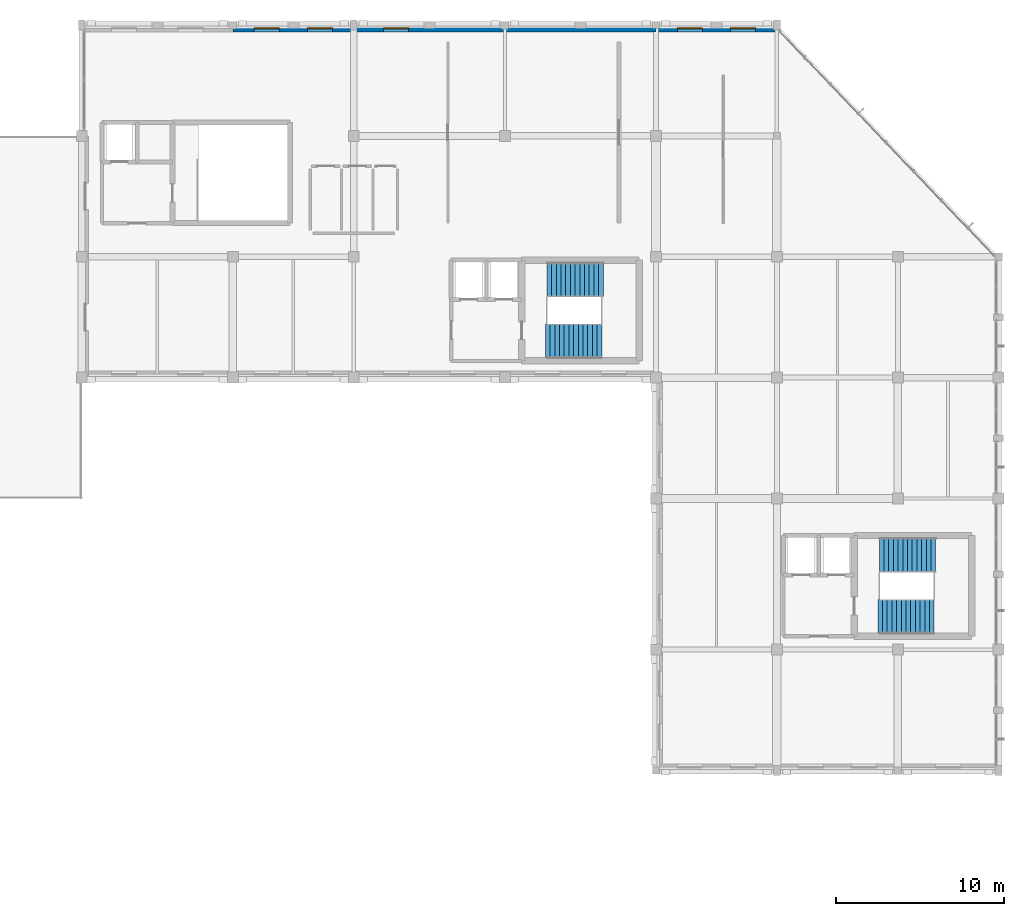
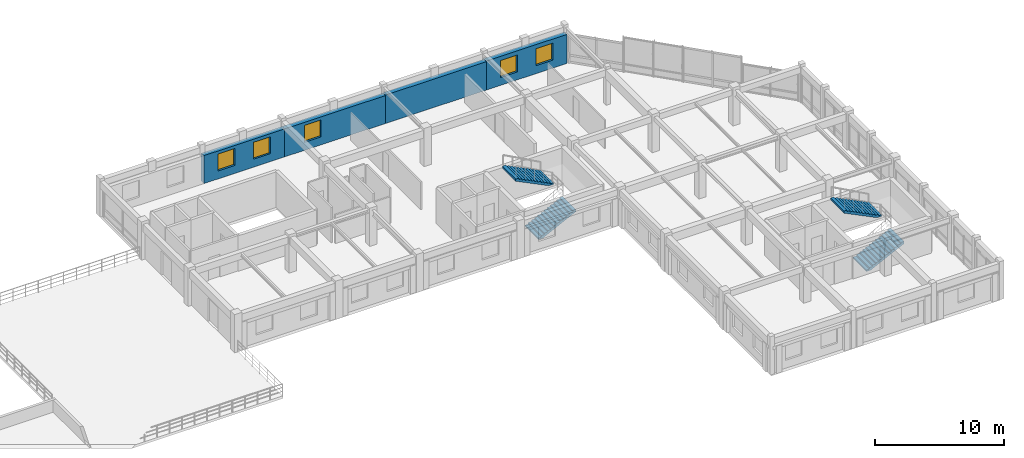
# One storey, part 15 of 18: 5 windows, 4 stair flights, 4 walls, 5 openings, 2 elements without a shape of their own.
"""IFC4 building model written with IfcOpenShell, lengths in metres."""

from ifc_helpers import new_model, si_unit, direction, frame, frame_2d, origin, place, context, subcontext, project, spatial, polyline, rectangle, outline, extrude, material, layer, layer_set, type_object, element, fill, aggregate, save


model = new_model("IFC4")

# Units and contexts
model_context = context("Model", 3, precision=1e-05, world=origin(), true_north=direction((0.0, 1.0)))
body_context = subcontext(model_context, "Body", "Model", "MODEL_VIEW")
ifc_project = project(units=[si_unit("LENGTHUNIT", "METRE"), si_unit("AREAUNIT", "SQUARE_METRE"), si_unit("VOLUMEUNIT", "CUBIC_METRE"), si_unit("PLANEANGLEUNIT", "RADIAN"), si_unit("MASSUNIT", "GRAM", prefix="KILO")], contexts=[model_context])

# Site, building, storey
site_placement = place(None, origin())
site = spatial("IfcSite", under=ifc_project, at=site_placement, CompositionType="ELEMENT")
building_placement = place(site_placement, origin())
building = spatial("IfcBuilding", under=site, at=building_placement, Name="Clarverna Civic Hall", CompositionType="ELEMENT")
storey_placement = place(building_placement, frame((0.0, 0.0, 20.39990234375)))
storey = spatial("IfcBuildingStorey", under=building, at=storey_placement, Name="L05", CompositionType="ELEMENT", Elevation=20.39990234375)

# Wall, openings, windows
ifc_material_1 = material(Name="Montjuic Limestone Ashlar Cladding", Category="masonry")
ifc_layer = layer(ifc_material_1, 0.39990234375)
ifc_layer_set = layer_set([ifc_layer], Name="Montjuic Limestone Ashlar Cladding")
wall_type = type_object("IfcWallType", Name="EW-02", PredefinedType="SOLIDWALL", material=ifc_layer_set)
wall_1_placement = place(storey_placement, frame((122.39990234375, 115.800048828125, 0.0), z_axis=(0.0, 0.0, 1.0), x_axis=(1.0, 0.0, 0.0)))
wall_1 = element("IfcWall", 1, at=wall_1_placement, inside=storey, type_object=wall_type, Name="EW-02-255", PredefinedType="SOLIDWALL", context=body_context, shape_type="SweptSolid", body=[
    extrude(rectangle(XDim=7.2001953125, YDim=0.39990234375, at=frame_2d((3.60009765625, 0.0))), origin(), (0.0, 0.0, 1.0), 2.64013671875),
])
opening_1_placement = place(wall_1_placement, frame((1.26611328125, 0.0, 0.75)))
opening_1 = element("IfcOpeningElement", 2, at=opening_1_placement, cuts=wall_1, Name="Opening WN-14", PredefinedType="OPENING", context=body_context, shape_type="SweptSolid", body=[
    extrude(rectangle(XDim=1.5, YDim=1.60009765625, at=frame_2d((0.75, 0.800048828125))), frame((0.0, 0.2099609375, 0.0), z_axis=(0.0, -1.0, 0.0), x_axis=(1.0, 0.0, 0.0)), (0.0, 0.0, 1.0), 0.419921875),
])
opening_2_placement = place(wall_1_placement, frame((4.43408203125, 0.0, 0.75)))
opening_2 = element("IfcOpeningElement", 3, at=opening_2_placement, cuts=wall_1, Name="Opening WN-14", PredefinedType="OPENING", context=body_context, shape_type="SweptSolid", body=[
    extrude(rectangle(XDim=1.5, YDim=1.60009765625, at=frame_2d((0.75, 0.800048828125))), frame((0.0, 0.2099609375, 0.0), z_axis=(0.0, -1.0, 0.0), x_axis=(1.0, 0.0, 0.0)), (0.0, 0.0, 1.0), 0.419921875),
])
ifc_material_2 = material(Name="Solar-Control Argon Low-E Double Glazing", Category="glass")
window_type = type_object("IfcWindowType", Name="WN-14", PartitioningType="DOUBLE_PANEL_HORIZONTAL", PredefinedType="WINDOW", material=ifc_material_2)
window_1_placement = place(opening_1_placement, origin())
window_1 = element("IfcWindow", 4, at=window_1_placement, inside=storey, type_object=window_type, Name="WN-14-293", OverallHeight=1.60009765625, OverallWidth=1.5, PartitioningType="DOUBLE_PANEL_HORIZONTAL", PredefinedType="WINDOW", context=body_context, shape_type="SweptSolid", body=[
    extrude(rectangle(XDim=1.5, YDim=1.60009765625, at=frame_2d((0.75, 0.800048828125))), frame((0.0, 0.030029296875, 0.0), z_axis=(0.0, -1.0, 0.0), x_axis=(1.0, 0.0, 0.0)), (0.0, 0.0, 1.0), 0.06005859375),
])
fill(opening_1, window_1)
window_2_placement = place(opening_2_placement, origin())
window_2 = element("IfcWindow", 5, at=window_2_placement, inside=storey, type_object=window_type, Name="WN-14-294", OverallHeight=1.60009765625, OverallWidth=1.5, PartitioningType="DOUBLE_PANEL_HORIZONTAL", PredefinedType="WINDOW", context=body_context, shape_type="SweptSolid", body=[
    extrude(rectangle(XDim=1.5, YDim=1.60009765625, at=frame_2d((0.75, 0.800048828125))), frame((0.0, 0.030029296875, 0.0), z_axis=(0.0, -1.0, 0.0), x_axis=(1.0, 0.0, 0.0)), (0.0, 0.0, 1.0), 0.06005859375),
])
fill(opening_2, window_2)

# Wall, opening, window
wall_2_placement = place(storey_placement, frame((129.60009765625, 115.800048828125, 0.0), z_axis=(0.0, 0.0, 1.0), x_axis=(1.0, 0.0, 0.0)))
wall_2 = element("IfcWall", 6, at=wall_2_placement, inside=storey, type_object=wall_type, Name="EW-02-256", PredefinedType="SOLIDWALL", context=body_context, shape_type="SweptSolid", body=[
    extrude(rectangle(XDim=9.0, YDim=0.39990234375, at=frame_2d((4.5, 0.0))), origin(), (0.0, 0.0, 1.0), 2.64013671875),
])
opening_3_placement = place(wall_2_placement, frame((1.77001953125, 0.0, 0.75)))
opening_3 = element("IfcOpeningElement", 7, at=opening_3_placement, cuts=wall_2, Name="Opening WN-14", PredefinedType="OPENING", context=body_context, shape_type="SweptSolid", body=[
    extrude(rectangle(XDim=1.5, YDim=1.60009765625, at=frame_2d((0.75, 0.800048828125))), frame((0.0, 0.2099609375, 0.0), z_axis=(0.0, -1.0, 0.0), x_axis=(1.0, 0.0, 0.0)), (0.0, 0.0, 1.0), 0.419921875),
])
window_3_placement = place(opening_3_placement, origin())
window_3 = element("IfcWindow", 8, at=window_3_placement, inside=storey, type_object=window_type, Name="WN-14-295", OverallHeight=1.60009765625, OverallWidth=1.5, PartitioningType="DOUBLE_PANEL_HORIZONTAL", PredefinedType="WINDOW", context=body_context, shape_type="SweptSolid", body=[
    extrude(rectangle(XDim=1.5, YDim=1.60009765625, at=frame_2d((0.75, 0.800048828125))), frame((0.0, 0.030029296875, 0.0), z_axis=(0.0, -1.0, 0.0), x_axis=(1.0, 0.0, 0.0)), (0.0, 0.0, 1.0), 0.06005859375),
])
fill(opening_3, window_3)

# Wall
wall_3_placement = place(storey_placement, frame((138.60009765625, 115.800048828125, 0.0), z_axis=(0.0, 0.0, 1.0), x_axis=(1.0, 0.0, 0.0)))
element("IfcWall", 9, at=wall_3_placement, inside=storey, type_object=wall_type, Name="EW-02-257", PredefinedType="SOLIDWALL", context=body_context, shape_type="SweptSolid", body=[
    extrude(rectangle(XDim=9.0, YDim=0.39990234375, at=frame_2d((4.5, 0.0))), origin(), (0.0, 0.0, 1.0), 2.68017578125),
])

# Wall, openings, windows
wall_4_placement = place(storey_placement, frame((147.60009765625, 115.800048828125, 0.0), z_axis=(0.0, 0.0, 1.0), x_axis=(1.0, 0.0, 0.0)))
wall_4 = element("IfcWall", 10, at=wall_4_placement, inside=storey, type_object=wall_type, Name="EW-02-258", PredefinedType="SOLIDWALL", context=body_context, shape_type="SweptSolid", body=[
    extrude(rectangle(XDim=7.199951171875, YDim=0.39990234375, at=frame_2d((3.60009765625, 0.0))), origin(), (0.0, 0.0, 1.0), 2.739990234375),
])
opening_4_placement = place(wall_4_placement, frame((1.26611328125, 0.0, 0.75)))
opening_4 = element("IfcOpeningElement", 11, at=opening_4_placement, cuts=wall_4, Name="Opening WN-14", PredefinedType="OPENING", context=body_context, shape_type="SweptSolid", body=[
    extrude(rectangle(XDim=1.5, YDim=1.60009765625, at=frame_2d((0.75, 0.800048828125))), frame((0.0, 0.2099609375, 0.0), z_axis=(0.0, -1.0, 0.0), x_axis=(1.0, 0.0, 0.0)), (0.0, 0.0, 1.0), 0.419921875),
])
opening_5_placement = place(wall_4_placement, frame((4.43408203125, 0.0, 0.75)))
opening_5 = element("IfcOpeningElement", 12, at=opening_5_placement, cuts=wall_4, Name="Opening WN-14", PredefinedType="OPENING", context=body_context, shape_type="SweptSolid", body=[
    extrude(rectangle(XDim=1.5, YDim=1.60009765625, at=frame_2d((0.75, 0.800048828125))), frame((0.0, 0.2099609375, 0.0), z_axis=(0.0, -1.0, 0.0), x_axis=(1.0, 0.0, 0.0)), (0.0, 0.0, 1.0), 0.419921875),
])
window_4_placement = place(opening_4_placement, origin())
window_4 = element("IfcWindow", 13, at=window_4_placement, inside=storey, type_object=window_type, Name="WN-14-296", OverallHeight=1.60009765625, OverallWidth=1.5, PartitioningType="DOUBLE_PANEL_HORIZONTAL", PredefinedType="WINDOW", context=body_context, shape_type="SweptSolid", body=[
    extrude(rectangle(XDim=1.5, YDim=1.60009765625, at=frame_2d((0.75, 0.800048828125))), frame((0.0, 0.030029296875, 0.0), z_axis=(0.0, -1.0, 0.0), x_axis=(1.0, 0.0, 0.0)), (0.0, 0.0, 1.0), 0.06005859375),
])
fill(opening_4, window_4)
window_5_placement = place(opening_5_placement, origin())
window_5 = element("IfcWindow", 14, at=window_5_placement, inside=storey, type_object=window_type, Name="WN-14-297", OverallHeight=1.60009765625, OverallWidth=1.5, PartitioningType="DOUBLE_PANEL_HORIZONTAL", PredefinedType="WINDOW", context=body_context, shape_type="SweptSolid", body=[
    extrude(rectangle(XDim=1.5, YDim=1.60009765625, at=frame_2d((0.75, 0.800048828125))), frame((0.0, 0.030029296875, 0.0), z_axis=(0.0, -1.0, 0.0), x_axis=(1.0, 0.0, 0.0)), (0.0, 0.0, 1.0), 0.06005859375),
])
fill(opening_5, window_5)

# Stair, stair flights
ifc_material_3 = material(Name="Concrete C30/37", Category="concrete")
stair_type = type_object("IfcStairType", Name="ST-H1", PredefinedType="HALF_TURN_STAIR", material=ifc_material_3)
stair_1_placement = place(storey_placement, origin())
stair_1 = element("IfcStair", 15, at=stair_1_placement, inside=storey, type_object=stair_type, Name="ST-H1:L05:0005", PredefinedType="HALF_TURN_STAIR")
stair_flight_type = type_object("IfcStairFlightType", Name="SF-02", PredefinedType="STRAIGHT", material=ifc_material_3)
stair_flight_1_placement = place(storey_placement, frame((141.010009765625, 97.179931640625, 0.0), z_axis=(0.0, 0.0, 1.0), x_axis=(1.0, 0.0, 0.0)))
stair_flight_1 = element("IfcStairFlight", 16, at=stair_flight_1_placement, type_object=stair_flight_type, Name="SF-02:L05:0009", NumberOfRisers=13, NumberOfTreads=12, PredefinedType="STRAIGHT", RiserHeight=0.138462, TreadLength=0.28, context=body_context, shape_type="SweptSolid", body=[
    extrude(outline(polyline([(0.0, 0.0), (0.0, 0.138427734375), (0.280029296875, 0.138427734375), (0.280029296875, 0.27685546875), (0.56005859375, 0.27685546875), (0.56005859375, 0.415283203125), (0.840087890625, 0.415283203125), (0.840087890625, 0.553955078125), (1.1201171875, 0.553955078125), (1.1201171875, 0.6923828125), (1.39990234375, 0.6923828125), (1.39990234375, 0.830810546875), (1.679931640625, 0.830810546875), (1.679931640625, 0.96923828125), (1.9599609375, 0.96923828125), (1.9599609375, 1.107666015625), (2.239990234375, 1.107666015625), (2.239990234375, 1.24609375), (2.52001953125, 1.24609375), (2.52001953125, 1.384521484375), (2.800048828125, 1.384521484375), (2.800048828125, 1.523193359375), (3.080078125, 1.523193359375), (3.080078125, 1.66162109375), (3.360107421875, 1.66162109375), (3.360107421875, 1.800048828125), (3.360107421875, 1.460693359375), (0.406005859375, 0.0), (0.0, 0.0)])), frame((0.0, 1.02001953125, 0.0), z_axis=(0.0, -1.0, 0.0), x_axis=(1.0, 0.0, 0.0)), (0.0, 0.0, 1.0), 2.0400390625),
])
stair_flight_2_placement = place(storey_placement, frame((144.4599609375, 100.820068359375, 1.800048828125), z_axis=(0.0, 0.0, 1.0), x_axis=(-1.0, 0.0, 0.0)))
stair_flight_2 = element("IfcStairFlight", 17, at=stair_flight_2_placement, type_object=stair_flight_type, Name="SF-02:L05:0010", NumberOfRisers=13, NumberOfTreads=12, PredefinedType="STRAIGHT", RiserHeight=0.138462, TreadLength=0.28, context=body_context, shape_type="SweptSolid", body=[
    extrude(outline(polyline([(0.0, 0.0), (0.0, 0.138427734375), (0.280029296875, 0.138427734375), (0.280029296875, 0.27685546875), (0.56005859375, 0.27685546875), (0.56005859375, 0.415283203125), (0.840087890625, 0.415283203125), (0.840087890625, 0.553955078125), (1.1201171875, 0.553955078125), (1.1201171875, 0.6923828125), (1.39990234375, 0.6923828125), (1.39990234375, 0.830810546875), (1.679931640625, 0.830810546875), (1.679931640625, 0.96923828125), (1.9599609375, 0.96923828125), (1.9599609375, 1.107666015625), (2.239990234375, 1.107666015625), (2.239990234375, 1.24609375), (2.52001953125, 1.24609375), (2.52001953125, 1.384521484375), (2.800048828125, 1.384521484375), (2.800048828125, 1.523193359375), (3.080078125, 1.523193359375), (3.080078125, 1.66162109375), (3.360107421875, 1.66162109375), (3.360107421875, 1.800048828125), (3.360107421875, 1.460693359375), (0.406005859375, 0.0), (0.0, 0.0)])), frame((0.0, 1.02001953125, 0.0), z_axis=(0.0, -1.0, 0.0), x_axis=(1.0, 0.0, 0.0)), (0.0, 0.0, 1.0), 2.0400390625),
])
aggregate(stair_1, [stair_flight_1, stair_flight_2])

stair_2_placement = place(storey_placement, origin())
stair_2 = element("IfcStair", 18, at=stair_2_placement, inside=storey, type_object=stair_type, Name="ST-H1:L05:0011", PredefinedType="HALF_TURN_STAIR")
stair_flight_3_placement = place(storey_placement, frame((160.81005859375, 80.780029296875, 0.0), z_axis=(0.0, 0.0, 1.0), x_axis=(1.0, 0.0, 0.0)))
stair_flight_3 = element("IfcStairFlight", 19, at=stair_flight_3_placement, type_object=stair_flight_type, Name="SF-02:L05:0021", NumberOfRisers=13, NumberOfTreads=12, PredefinedType="STRAIGHT", RiserHeight=0.138462, TreadLength=0.28, context=body_context, shape_type="SweptSolid", body=[
    extrude(outline(polyline([(0.0, 0.0), (0.0, 0.138427734375), (0.280029296875, 0.138427734375), (0.280029296875, 0.27685546875), (0.56005859375, 0.27685546875), (0.56005859375, 0.415283203125), (0.840087890625, 0.415283203125), (0.840087890625, 0.553955078125), (1.1201171875, 0.553955078125), (1.1201171875, 0.6923828125), (1.39990234375, 0.6923828125), (1.39990234375, 0.830810546875), (1.679931640625, 0.830810546875), (1.679931640625, 0.96923828125), (1.9599609375, 0.96923828125), (1.9599609375, 1.107666015625), (2.239990234375, 1.107666015625), (2.239990234375, 1.24609375), (2.52001953125, 1.24609375), (2.52001953125, 1.384521484375), (2.800048828125, 1.384521484375), (2.800048828125, 1.523193359375), (3.080078125, 1.523193359375), (3.080078125, 1.66162109375), (3.360107421875, 1.66162109375), (3.360107421875, 1.800048828125), (3.360107421875, 1.460693359375), (0.406005859375, 0.0), (0.0, 0.0)])), frame((0.0, 1.02001953125, 0.0), z_axis=(0.0, -1.0, 0.0), x_axis=(1.0, 0.0, 0.0)), (0.0, 0.0, 1.0), 2.0400390625),
])
stair_flight_4_placement = place(storey_placement, frame((164.260009765625, 84.419921875, 1.800048828125), z_axis=(0.0, 0.0, 1.0), x_axis=(-1.0, 0.0, 0.0)))
stair_flight_4 = element("IfcStairFlight", 20, at=stair_flight_4_placement, type_object=stair_flight_type, Name="SF-02:L05:0022", NumberOfRisers=13, NumberOfTreads=12, PredefinedType="STRAIGHT", RiserHeight=0.138462, TreadLength=0.28, context=body_context, shape_type="SweptSolid", body=[
    extrude(outline(polyline([(0.0, 0.0), (0.0, 0.138427734375), (0.280029296875, 0.138427734375), (0.280029296875, 0.27685546875), (0.56005859375, 0.27685546875), (0.56005859375, 0.415283203125), (0.840087890625, 0.415283203125), (0.840087890625, 0.553955078125), (1.1201171875, 0.553955078125), (1.1201171875, 0.6923828125), (1.39990234375, 0.6923828125), (1.39990234375, 0.830810546875), (1.679931640625, 0.830810546875), (1.679931640625, 0.96923828125), (1.9599609375, 0.96923828125), (1.9599609375, 1.107666015625), (2.239990234375, 1.107666015625), (2.239990234375, 1.24609375), (2.52001953125, 1.24609375), (2.52001953125, 1.384521484375), (2.800048828125, 1.384521484375), (2.800048828125, 1.523193359375), (3.080078125, 1.523193359375), (3.080078125, 1.66162109375), (3.360107421875, 1.66162109375), (3.360107421875, 1.800048828125), (3.360107421875, 1.460693359375), (0.406005859375, 0.0), (0.0, 0.0)])), frame((0.0, 1.02001953125, 0.0), z_axis=(0.0, -1.0, 0.0), x_axis=(1.0, 0.0, 0.0)), (0.0, 0.0, 1.0), 2.0400390625),
])
aggregate(stair_2, [stair_flight_3, stair_flight_4])

save(model, "model.ifc")
